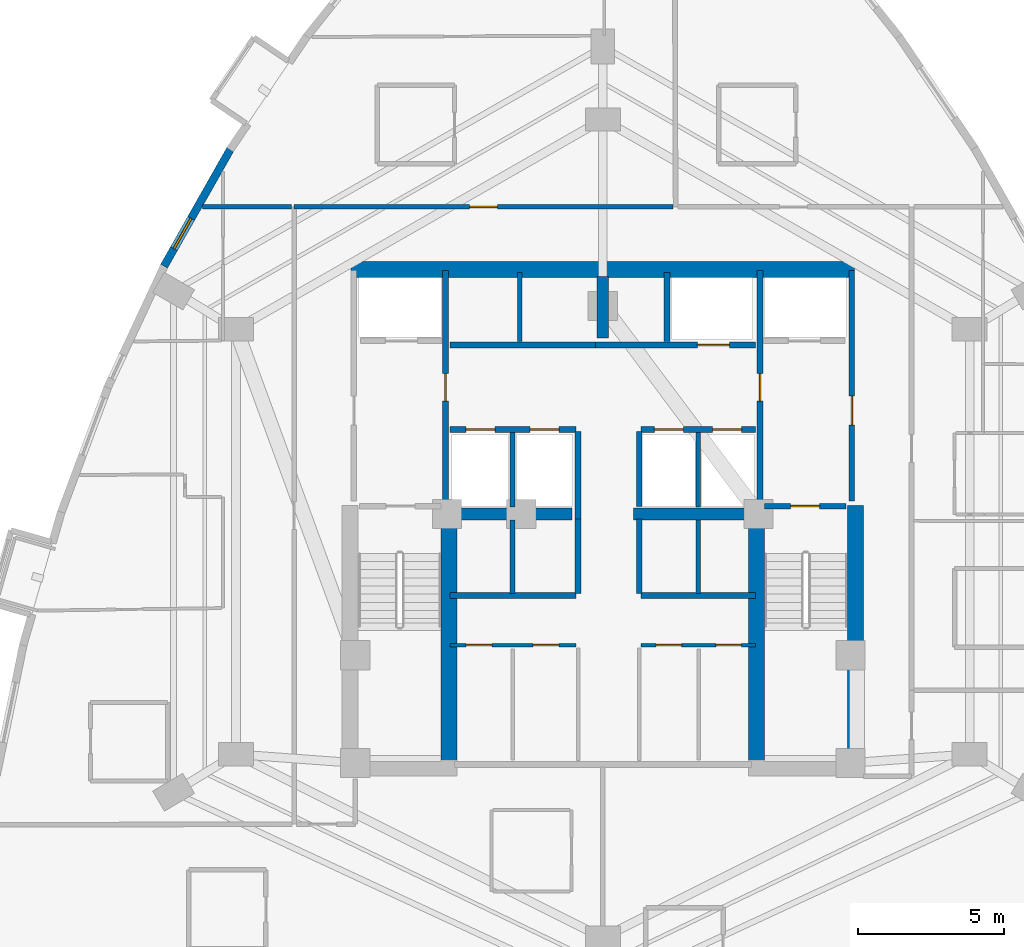
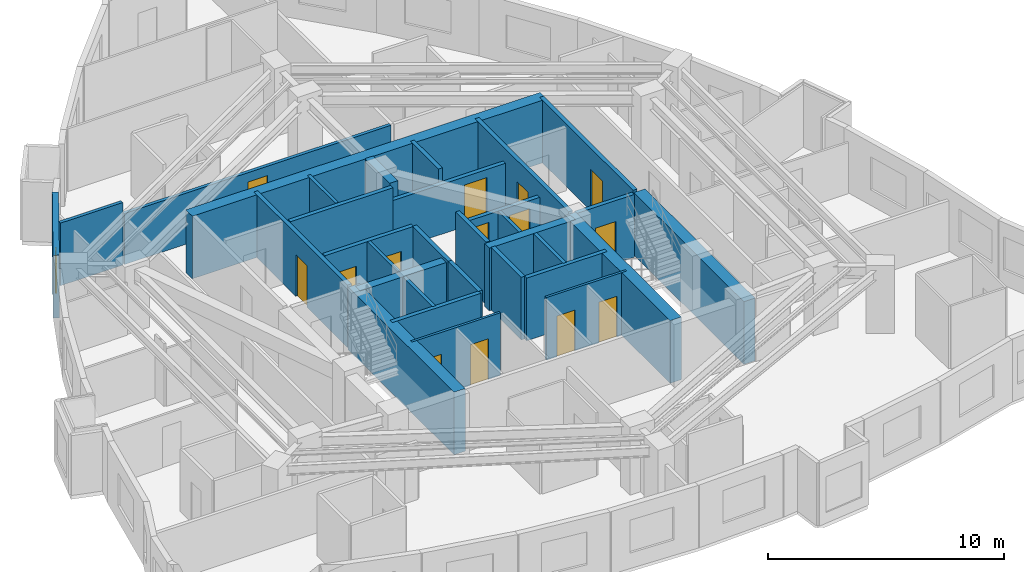
# One storey, part 7 of 11: 32 walls, 14 doors, 1 window, 15 openings.
"""IFC4 building model written with IfcOpenShell, lengths in metres."""

import ifcopenshell
import ifcopenshell.guid

model = None  # the IFC model being written
_history = None  # IfcOwnerHistory: only IFC2X3 demands one
_inside = {}  # id of a spatial element -> (the spatial element, [elements in it])
_under = {}  # id of a project, library or spatial element -> (it, [spatial elements below it])
_declared = {}  # id of a project -> (the project, [libraries it declares])
_typed = {}  # id of a type object -> (the type object, [elements of that type])
_made_of = {}  # id of a material, layer set ... -> (it, [elements and type objects made of it])


def new_model(schema):
    """Start an empty IFC model of exactly this schema.

    Asked for "IFC4X3", IfcOpenShell would pick the latest addendum, in which some entities
    have other attributes; the version numbers below select the first issue.
    IFC2X3 requires an IfcOwnerHistory on every rooted entity: one is made here for all.
    """
    global model, _history
    if schema == "IFC4X3":
        model = ifcopenshell.file(schema_version=(4, 3, 0, 0))
    else:
        model = ifcopenshell.file(schema=schema)
    _inside.clear()
    _under.clear()
    _declared.clear()
    _typed.clear()
    _made_of.clear()
    _history = None
    if model.schema == "IFC2X3":
        org = make("IfcOrganization", Name="unknown")
        user = make(
            "IfcPersonAndOrganization",
            ThePerson=make("IfcPerson", FamilyName="unknown"),
            TheOrganization=org,
        )
        app = make(
            "IfcApplication",
            ApplicationDeveloper=org,
            Version="unknown",
            ApplicationFullName="unknown",
            ApplicationIdentifier="unknown",
        )
        _history = make(
            "IfcOwnerHistory",
            OwningUser=user,
            OwningApplication=app,
            ChangeAction="ADDED",
            CreationDate=0,
        )
    return model


def make(cls, **values):
    """One entity of the class cls with the attributes given. An attribute that is None is left unset."""
    return model.create_entity(
        cls, **{name: value for name, value in values.items() if value is not None}
    )


def rooted(cls, **values):
    """An entity with a GlobalId (a new one), such as an element, a storey or a relation."""
    return make(cls, GlobalId=ifcopenshell.guid.new(), OwnerHistory=_history, **values)


def si_unit(unit_type, name, prefix=None):
    """IfcSIUnit, for example si_unit("LENGTHUNIT", "METRE", prefix="MILLI")."""
    return make("IfcSIUnit", UnitType=unit_type, Prefix=prefix, Name=name)


def assignment(units):
    """IfcUnitAssignment: the units of a project."""
    return None if units is None else make("IfcUnitAssignment", Units=units)


def point(xyz):
    """IfcCartesianPoint."""
    return None if xyz is None else make("IfcCartesianPoint", Coordinates=xyz)


def direction(xyz):
    """IfcDirection."""
    return None if xyz is None else make("IfcDirection", DirectionRatios=xyz)


def frame(location, z_axis=None, x_axis=None):
    """IfcAxis2Placement3D, a coordinate frame: its origin and axes. An axis left out is left unset."""
    return make(
        "IfcAxis2Placement3D",
        Location=point(location),
        Axis=direction(z_axis),
        RefDirection=direction(x_axis),
    )


def frame_2d(location, x_axis=None):
    """IfcAxis2Placement2D, a coordinate frame in the plane: its origin and x axis."""
    return make(
        "IfcAxis2Placement2D", Location=point(location), RefDirection=direction(x_axis)
    )


def origin():
    """The frame at (0, 0, 0) with its axes left unset."""
    return frame((0.0, 0.0, 0.0))


def place(relative_to, where):
    """IfcLocalPlacement: puts the frame where relative to a parent placement (None: the world)."""
    return make(
        "IfcLocalPlacement", PlacementRelTo=relative_to, RelativePlacement=where
    )


def context(
    kind, dimensions, precision=None, world=None, true_north=None, identifier=None
):
    """IfcGeometricRepresentationContext, for example the 3D "Model" context."""
    return make(
        "IfcGeometricRepresentationContext",
        ContextIdentifier=identifier,
        ContextType=kind,
        CoordinateSpaceDimension=dimensions,
        Precision=precision,
        WorldCoordinateSystem=world,
        TrueNorth=true_north,
    )


def subcontext(parent, identifier, kind, view, scale=None):
    """IfcGeometricRepresentationSubContext, for example "Body" below "Model"."""
    return make(
        "IfcGeometricRepresentationSubContext",
        ContextIdentifier=identifier,
        ContextType=kind,
        ParentContext=parent,
        TargetScale=scale,
        TargetView=view,
    )


def project(units=None, contexts=None):
    """IfcProject with its units and contexts."""
    return rooted(
        "IfcProject",
        Name="project",
        RepresentationContexts=contexts,
        UnitsInContext=assignment(units),
    )


def spatial(cls, under=None, at=None, **own):
    """A site, building, storey or space (cls), placed at a placement, below another one or the project."""
    s = rooted(cls, ObjectPlacement=at, **own)
    if under is not None:
        _under.setdefault(under.id(), (under, []))[1].append(s)
    return s


def profile(cls, at=None, kind="AREA", **sizes):
    """A parametric profile (cls). Its sizes go by their IFC names, for example OverallWidth=200.0."""
    return make(cls, ProfileType=kind, Position=at, **sizes)


def rectangle(**sizes):
    """IfcRectangleProfileDef."""
    return profile("IfcRectangleProfileDef", **sizes)


def extrude(swept, where, along, depth):
    """IfcExtrudedAreaSolid: the profile swept, set in the frame where, extruded along a direction by depth."""
    return make(
        "IfcExtrudedAreaSolid",
        SweptArea=swept,
        Position=where,
        ExtrudedDirection=direction(along),
        Depth=depth,
    )


def shape(context_of_items, identifier, shape_type, items):
    """IfcShapeRepresentation: the items that make up one representation, for example the "Body"."""
    return make(
        "IfcShapeRepresentation",
        ContextOfItems=context_of_items,
        RepresentationIdentifier=identifier,
        RepresentationType=shape_type,
        Items=items,
    )


def material(Name=None, Category=None):
    """IfcMaterial."""
    return make("IfcMaterial", Name=Name, Category=Category)


def layer(
    of_material, thickness, ventilated=None, Name=None, Category=None, Priority=None
):
    """IfcMaterialLayer: one layer of a wall or slab, of a material (None: an air gap)."""
    return make(
        "IfcMaterialLayer",
        Material=of_material,
        LayerThickness=thickness,
        IsVentilated=ventilated,
        Name=Name,
        Category=Category,
        Priority=Priority,
    )


def layer_set(layers, Name=None):
    """IfcMaterialLayerSet."""
    return make("IfcMaterialLayerSet", MaterialLayers=layers, LayerSetName=Name)


def made_of(thing, what):
    """Note that an element or type object is made of a material, layer set ...; save() writes the relation."""
    if what is not None:
        _made_of.setdefault(what.id(), (what, []))[1].append(thing)
    return thing


def type_object(cls, material=None, **own):
    """A type object (cls), such as IfcWallType, which elements share."""
    return made_of(rooted(cls, **own), material)


def element(
    cls,
    number,
    at=None,
    inside=None,
    cuts=None,
    type_object=None,
    material=None,
    context=None,
    identifier="Body",
    shape_type=None,
    held_by="IfcProductDefinitionShape",
    body=None,
    shapes=None,
    **own,
):
    """One element of the class cls, such as IfcWall. Its Tag is "e" and its number.

    at: its placement. inside: the storey or other place that contains it. cuts: it is an
    opening in that element (IfcRelVoidsElement). A single representation is given by context,
    identifier, shape_type and body (its items); several are given by shapes. held_by: the class
    of the entity that holds the representations. save() writes the other relations.
    """
    e = rooted(cls, Tag="e%d" % number, ObjectPlacement=at, **own)
    if body is not None:
        shapes = [shape(context, identifier, shape_type, body)]
    if shapes is not None:
        e.Representation = make(held_by, Representations=shapes)
    if inside is not None:
        _inside.setdefault(inside.id(), (inside, []))[1].append(e)
    if cuts is not None:
        rooted(
            "IfcRelVoidsElement", RelatingBuildingElement=cuts, RelatedOpeningElement=e
        )
    if type_object is not None:
        _typed.setdefault(type_object.id(), (type_object, []))[1].append(e)
    return made_of(e, material)


def fill(opening, filler):
    """IfcRelFillsElement: the door or window that sits in an opening."""
    return rooted(
        "IfcRelFillsElement",
        RelatingOpeningElement=opening,
        RelatedBuildingElement=filler,
    )


def aggregate(whole, parts):
    """IfcRelAggregates: a whole, such as a stair, and the parts it consists of."""
    return rooted("IfcRelAggregates", RelatingObject=whole, RelatedObjects=parts)


def save(model, path):
    """Write the relations noted so far, then the file.

    IfcRelAggregates (storeys below a building ...), IfcRelContainedInSpatialStructure (elements
    in a storey), IfcRelDefinesByType, IfcRelAssociatesMaterial and IfcRelDeclares: one each for
    every whole, place, type object, material and project.
    """
    for whole, parts in _under.values():
        aggregate(whole, parts)
    for where, things in _inside.values():
        rooted(
            "IfcRelContainedInSpatialStructure",
            RelatedElements=things,
            RelatingStructure=where,
        )
    for kind, things in _typed.values():
        rooted("IfcRelDefinesByType", RelatedObjects=things, RelatingType=kind)
    for what, things in _made_of.values():
        rooted("IfcRelAssociatesMaterial", RelatedObjects=things, RelatingMaterial=what)
    for by, libraries in _declared.values():
        rooted("IfcRelDeclares", RelatingContext=by, RelatedDefinitions=libraries)
    model.write(path)


model = new_model("IFC4")

# Units and contexts
model_context = context("Model", 3, precision=1e-05, world=origin(), true_north=direction((0.0, 1.0)))
body_context = subcontext(model_context, "Body", "Model", "MODEL_VIEW")
ifc_project = project(units=[si_unit("LENGTHUNIT", "METRE"), si_unit("AREAUNIT", "SQUARE_METRE"), si_unit("VOLUMEUNIT", "CUBIC_METRE"), si_unit("PLANEANGLEUNIT", "RADIAN"), si_unit("MASSUNIT", "GRAM", prefix="KILO")], contexts=[model_context])

# Site, building, storey
site_placement = place(None, origin())
site = spatial("IfcSite", under=ifc_project, at=site_placement, CompositionType="ELEMENT")
building_placement = place(site_placement, origin())
building = spatial("IfcBuilding", under=site, at=building_placement, Name="Miruveldt Soraemaru", CompositionType="ELEMENT")
storey_placement = place(building_placement, frame((0.0, 0.0, 100.39990234375)))
storey = spatial("IfcBuildingStorey", under=building, at=storey_placement, Name="L27", CompositionType="ELEMENT", Elevation=100.39990234375)

# Walls
ifc_material_1 = material(Name="Concrete C70/85 (70 MPa)", Category="concrete")
ifc_layer_1 = layer(ifc_material_1, 0.5, Name="Concrete C70/85 (70 MPa)", Category="concrete")
ifc_layer_set_1 = layer_set([ifc_layer_1], Name="Concrete C70/85 (70 MPa)")
wall_type_1 = type_object("IfcWallType", Name="WALL-BW-500", PredefinedType="SHEAR", material=ifc_layer_set_1)
wall_1_placement = place(storey_placement, frame((44.0, 50.10009765625, 0.0), z_axis=(0.0, 0.0, 1.0), x_axis=(0.0, 1.0, 0.0)))
element("IfcWall", 1, at=wall_1_placement, inside=storey, type_object=wall_type_1, Name="L27 Core Buttress Shear Wall BN", PredefinedType="SHEAR", context=body_context, shape_type="SweptSolid", body=[
    extrude(rectangle(XDim=2.099853515625, YDim=0.39990234375, at=frame_2d((1.0498046875, 0.0))), origin(), (0.0, 0.0, 1.0), 3.235107421875),
])
for number, where, z_axis, x_axis, name in (
    (2, (38.75, 44.050048828125, 0.0), (0.0, 0.0, 1.0), (1.0, 0.0, 0.0), "L27 Core Buttress Shear Wall BW"),
    (3, (45.050048828125, 44.050048828125, 0.0), (0.0, 0.0, 1.0), (1.0, 0.0, 0.0), "L27 Core Buttress Shear Wall BE"),
):
    element("IfcWall", number, at=place(storey_placement, frame(where, z_axis=z_axis, x_axis=x_axis)), inside=storey, type_object=wall_type_1, Name=name, PredefinedType="SHEAR", context=body_context, shape_type="SweptSolid", body=[
        extrude(rectangle(XDim=4.199951171875, YDim=0.39990234375, at=frame_2d((2.10009765625, 0.0))), origin(), (0.0, 0.0, 1.0), 3.235107421875),
    ])
ifc_layer_2 = layer(ifc_material_1, 0.550048828125, Name="Concrete C70/85 (70 MPa)", Category="concrete")
ifc_layer_set_2 = layer_set([ifc_layer_2], Name="Concrete C70/85 (70 MPa)")
wall_type_2 = type_object("IfcWallType", Name="WALL-CW-550", PredefinedType="SHEAR", material=ifc_layer_set_2)
wall_2_placement = place(storey_placement, frame((35.35009765625, 52.449951171875, 0.0), z_axis=(0.0, 0.0, 1.0), x_axis=(1.0, 0.0, 0.0)))
element("IfcWall", 4, at=wall_2_placement, inside=storey, type_object=wall_type_2, Name="L27 Central Core Shear Wall N", PredefinedType="SHEAR", context=body_context, shape_type="SweptSolid", body=[
    extrude(rectangle(XDim=17.2998046875, YDim=0.550048828125, at=frame_2d((8.64990234375, 0.0))), origin(), (0.0, 0.0, 1.0), 3.235107421875),
])
wall_3_placement = place(storey_placement, frame((52.675048828125, 35.050048828125, 0.0), z_axis=(0.0, 0.0, 1.0), x_axis=(0.0, 1.0, 0.0)))
element("IfcWall", 5, at=wall_3_placement, inside=storey, type_object=wall_type_2, Name="L27 Central Core Shear Wall E1", PredefinedType="SHEAR", context=body_context, shape_type="SweptSolid", body=[
    extrude(rectangle(XDim=9.300048828125, YDim=0.550048828125, at=frame_2d((4.64990234375, 0.0))), origin(), (0.0, 0.0, 1.0), 3.235107421875),
])
for number, where, z_axis, x_axis, name in (
    (6, (38.72509765625, 35.39990234375, 0.0), (0.0, 0.0, 1.0), (0.0, 1.0, 0.0), "L27 Central Core Shear Wall SW-INT"),
    (7, (49.27490234375, 35.39990234375, 0.0), (0.0, 0.0, 1.0), (0.0, 1.0, 0.0), "L27 Central Core Shear Wall SE-INT"),
):
    element("IfcWall", number, at=place(storey_placement, frame(where, z_axis=z_axis, x_axis=x_axis)), inside=storey, type_object=wall_type_2, Name=name, PredefinedType="SHEAR", context=body_context, shape_type="SweptSolid", body=[
        extrude(rectangle(XDim=8.9501953125, YDim=0.550048828125, at=frame_2d((4.47509765625, 0.0))), origin(), (0.0, 0.0, 1.0), 3.235107421875),
    ])

# Wall, opening, window
ifc_material_2 = material(Name="Precast concrete C45/55 (45 MPa)", Category="concrete")
ifc_layer_3 = layer(ifc_material_2, 0.27001953125, Name="Precast concrete C45/55 (45 MPa)", Category="concrete")
ifc_layer_set_3 = layer_set([ifc_layer_3], Name="Precast concrete C45/55 (45 MPa)")
wall_type_3 = type_object("IfcWallType", Name="WALL-EXT-PC270", PredefinedType="SOLIDWALL", material=ifc_layer_set_3)
wall_4_placement = place(storey_placement, frame((31.234130859375, 56.62158203125, 0.0), z_axis=(0.0, 0.0, 1.0), x_axis=(-0.493366085109, -0.869821766837, 0.0)))
wall_4 = element("IfcWall", 8, at=wall_4_placement, inside=storey, type_object=wall_type_3, Name="L27 Precast Concrete Facade Wall 10", PredefinedType="SOLIDWALL", context=body_context, shape_type="SweptSolid", body=[
    extrude(rectangle(XDim=4.66943359375, YDim=0.27001953125, at=frame_2d((2.334716796875, 0.0))), origin(), (0.0, 0.0, 1.0), 3.235107421875),
])
opening_1_placement = place(wall_4_placement, frame((2.779052734375, 0.0, 0.780029296875)))
opening_1 = element("IfcOpeningElement", 9, at=opening_1_placement, cuts=wall_4, Name="Opening WN-4", PredefinedType="OPENING", context=body_context, shape_type="SweptSolid", body=[
    extrude(rectangle(XDim=1.199951171875, YDim=1.550048828125, at=frame_2d((0.60009765625, 0.77490234375))), frame((0.0, 0.14501953125, 0.0), z_axis=(0.0, -1.0, 0.0), x_axis=(1.0, 0.0, 0.0)), (0.0, 0.0, 1.0), 0.2900390625),
])
ifc_material_3 = material(Name="Triple low-e insulated glazing", Category="glass")
window_type = type_object("IfcWindowType", Name="WIN-PUNCH-1200x1550", PartitioningType="SINGLE_PANEL", PredefinedType="WINDOW", material=ifc_material_3)
window_placement = place(opening_1_placement, origin())
window = element("IfcWindow", 10, at=window_placement, inside=storey, type_object=window_type, Name="L27 Punched Triple-Glazed Window 10.1", OverallHeight=1.550048828125, OverallWidth=1.199951171875, PartitioningType="SINGLE_PANEL", PredefinedType="WINDOW", context=body_context, shape_type="SweptSolid", body=[
    extrude(rectangle(XDim=1.199951171875, YDim=1.550048828125, at=frame_2d((0.60009765625, 0.77490234375))), frame((0.0, 0.030029296875, 0.0), z_axis=(0.0, -1.0, 0.0), x_axis=(1.0, 0.0, 0.0)), (0.0, 0.0, 1.0), 0.06005859375),
])
fill(opening_1, window)

# Wall, openings, doors
ifc_material_4 = material(Name="Gypsum plasterboard lining", Category="gypsum")
ifc_layer_4 = layer(ifc_material_4, 0.1201171875, Name="Gypsum plasterboard lining", Category="gypsum")
ifc_layer_set_4 = layer_set([ifc_layer_4], Name="Gypsum plasterboard lining")
wall_type_4 = type_object("IfcWallType", Name="WALL-INT-P120", PredefinedType="PARTITIONING", material=ifc_layer_set_4)
wall_5_placement = place(storey_placement, frame((38.75, 39.550048828125, 0.0), z_axis=(0.0, 0.0, 1.0), x_axis=(1.0, 0.0, 0.0)))
wall_5 = element("IfcWall", 11, at=wall_5_placement, inside=storey, type_object=wall_type_4, Name="L27 Core Compartment Wall CSW-N", PredefinedType="PARTITIONING", context=body_context, shape_type="SweptSolid", body=[
    extrude(rectangle(XDim=4.330078125, YDim=0.1201171875, at=frame_2d((2.1650390625, 0.0))), origin(), (0.0, 0.0, 1.0), 3.235107421875),
])
opening_2_placement = place(wall_5_placement, frame((0.56005859375, 0.0, 0.0)))
opening_2 = element("IfcOpeningElement", 12, at=opening_2_placement, cuts=wall_5, Name="Opening D4", PredefinedType="OPENING", context=body_context, shape_type="SweptSolid", body=[
    extrude(rectangle(XDim=0.8798828125, YDim=2.10009765625, at=frame_2d((0.43994140625, 1.050048828125))), frame((0.0, 0.070068359375, 0.0), z_axis=(0.0, -1.0, 0.0), x_axis=(1.0, 0.0, 0.0)), (0.0, 0.0, 1.0), 0.14013671875),
])
opening_3_placement = place(wall_5_placement, frame((2.860107421875, 0.0, 0.0)))
opening_3 = element("IfcOpeningElement", 13, at=opening_3_placement, cuts=wall_5, Name="Opening D4", PredefinedType="OPENING", context=body_context, shape_type="SweptSolid", body=[
    extrude(rectangle(XDim=0.8798828125, YDim=2.10009765625, at=frame_2d((0.43994140625, 1.050048828125))), frame((0.0, 0.070068359375, 0.0), z_axis=(0.0, -1.0, 0.0), x_axis=(1.0, 0.0, 0.0)), (0.0, 0.0, 1.0), 0.14013671875),
])
ifc_material_5 = material(Name="Anodised aluminium EN AW-6063 T6", Category="aluminium")
door_type_1 = type_object("IfcDoorType", Name="DOOR-INT-880", OperationType="NOTDEFINED", PredefinedType="DOOR", material=ifc_material_5)
door_1_placement = place(opening_2_placement, origin())
door_1 = element("IfcDoor", 14, at=door_1_placement, inside=storey, type_object=door_type_1, Name="L27 Fire Door", OperationType="SINGLE_SWING_LEFT", OverallHeight=2.10009765625, OverallWidth=0.8798828125, PredefinedType="DOOR", context=body_context, shape_type="SweptSolid", body=[
    extrude(rectangle(XDim=0.8798828125, YDim=2.10009765625, at=frame_2d((0.43994140625, 1.050048828125))), frame((0.0, 0.02490234375, 0.0), z_axis=(0.0, -1.0, 0.0), x_axis=(1.0, 0.0, 0.0)), (0.0, 0.0, 1.0), 0.050048828125),
])
fill(opening_2, door_1)
door_2_placement = place(opening_3_placement, origin())
door_2 = element("IfcDoor", 15, at=door_2_placement, inside=storey, type_object=door_type_1, Name="L27 Fire Door", OperationType="SINGLE_SWING_LEFT", OverallHeight=2.10009765625, OverallWidth=0.8798828125, PredefinedType="DOOR", context=body_context, shape_type="SweptSolid", body=[
    extrude(rectangle(XDim=0.8798828125, YDim=2.10009765625, at=frame_2d((0.43994140625, 1.050048828125))), frame((0.0, 0.02490234375, 0.0), z_axis=(0.0, -1.0, 0.0), x_axis=(1.0, 0.0, 0.0)), (0.0, 0.0, 1.0), 0.050048828125),
])
fill(opening_3, door_2)

wall_6_placement = place(storey_placement, frame((45.320068359375, 39.550048828125, 0.0), z_axis=(0.0, 0.0, 1.0), x_axis=(1.0, 0.0, 0.0)))
wall_6 = element("IfcWall", 16, at=wall_6_placement, inside=storey, type_object=wall_type_4, Name="L27 Core Compartment Wall CSE-N", PredefinedType="PARTITIONING", context=body_context, shape_type="SweptSolid", body=[
    extrude(rectangle(XDim=3.929931640625, YDim=0.1201171875, at=frame_2d((1.96484375, 0.0))), origin(), (0.0, 0.0, 1.0), 3.235107421875),
])
opening_4_placement = place(wall_6_placement, frame((0.510009765625, 0.0, 0.0)))
opening_4 = element("IfcOpeningElement", 17, at=opening_4_placement, cuts=wall_6, Name="Opening D4", PredefinedType="OPENING", context=body_context, shape_type="SweptSolid", body=[
    extrude(rectangle(XDim=0.8798828125, YDim=2.10009765625, at=frame_2d((0.43994140625, 1.050048828125))), frame((0.0, 0.070068359375, 0.0), z_axis=(0.0, -1.0, 0.0), x_axis=(1.0, 0.0, 0.0)), (0.0, 0.0, 1.0), 0.14013671875),
])
opening_5_placement = place(wall_6_placement, frame((2.56005859375, 0.0, 0.0)))
opening_5 = element("IfcOpeningElement", 18, at=opening_5_placement, cuts=wall_6, Name="Opening D4", PredefinedType="OPENING", context=body_context, shape_type="SweptSolid", body=[
    extrude(rectangle(XDim=0.8798828125, YDim=2.10009765625, at=frame_2d((0.43994140625, 1.050048828125))), frame((0.0, 0.070068359375, 0.0), z_axis=(0.0, -1.0, 0.0), x_axis=(1.0, 0.0, 0.0)), (0.0, 0.0, 1.0), 0.14013671875),
])
door_3_placement = place(opening_4_placement, origin())
door_3 = element("IfcDoor", 19, at=door_3_placement, inside=storey, type_object=door_type_1, Name="L27 Fire Door", OperationType="SINGLE_SWING_LEFT", OverallHeight=2.10009765625, OverallWidth=0.8798828125, PredefinedType="DOOR", context=body_context, shape_type="SweptSolid", body=[
    extrude(rectangle(XDim=0.8798828125, YDim=2.10009765625, at=frame_2d((0.43994140625, 1.050048828125))), frame((0.0, 0.02490234375, 0.0), z_axis=(0.0, -1.0, 0.0), x_axis=(1.0, 0.0, 0.0)), (0.0, 0.0, 1.0), 0.050048828125),
])
fill(opening_4, door_3)
door_4_placement = place(opening_5_placement, origin())
door_4 = element("IfcDoor", 20, at=door_4_placement, inside=storey, type_object=door_type_1, Name="L27 Fire Door", OperationType="SINGLE_SWING_LEFT", OverallHeight=2.10009765625, OverallWidth=0.8798828125, PredefinedType="DOOR", context=body_context, shape_type="SweptSolid", body=[
    extrude(rectangle(XDim=0.8798828125, YDim=2.10009765625, at=frame_2d((0.43994140625, 1.050048828125))), frame((0.0, 0.02490234375, 0.0), z_axis=(0.0, -1.0, 0.0), x_axis=(1.0, 0.0, 0.0)), (0.0, 0.0, 1.0), 0.050048828125),
])
fill(opening_5, door_4)

# Wall, opening, door
ifc_material_6 = material(Name="Concrete C40/50 (40 MPa)", Category="concrete")
ifc_layer_5 = layer(ifc_material_6, 0.159912109375, Name="Concrete C40/50 (40 MPa)", Category="concrete")
ifc_layer_set_5 = layer_set([ifc_layer_5], Name="Concrete C40/50 (40 MPa)")
wall_type_5 = type_object("IfcWallType", Name="WALL-INT-RC160", PredefinedType="SOLIDWALL", material=ifc_layer_set_5)
wall_7_placement = place(storey_placement, frame((46.416015625, 54.60009765625, 0.0), z_axis=(0.0, 0.0, 1.0), x_axis=(-1.0, 0.0, 0.0)))
wall_7 = element("IfcWall", 21, at=wall_7_placement, inside=storey, type_object=wall_type_5, Name="L27 Partition Wall 1", PredefinedType="SOLIDWALL", context=body_context, shape_type="SweptSolid", body=[
    extrude(rectangle(XDim=13.026123046875, YDim=0.159912109375, at=frame_2d((6.51318359375, 0.0))), origin(), (0.0, 0.0, 1.0), 2.635009765625),
])
opening_6_placement = place(wall_7_placement, frame((6.0380859375, 0.0, 0.0)))
opening_6 = element("IfcOpeningElement", 22, at=opening_6_placement, cuts=wall_7, Name="Opening FD2", PredefinedType="OPENING", context=body_context, shape_type="SweptSolid", body=[
    extrude(rectangle(XDim=0.949951171875, YDim=2.14990234375, at=frame_2d((0.47509765625, 1.074951171875))), frame((0.0, 0.08984375, 0.0), z_axis=(0.0, -1.0, 0.0), x_axis=(1.0, 0.0, 0.0)), (0.0, 0.0, 1.0), 0.179931640625),
])
door_type_2 = type_object("IfcDoorType", Name="DOOR-FD2-950", OperationType="NOTDEFINED", PredefinedType="DOOR", material=ifc_material_5)
door_5_placement = place(opening_6_placement, origin())
door_5 = element("IfcDoor", 23, at=door_5_placement, inside=storey, type_object=door_type_2, Name="L27 Unit 2701 Entrance Fire Door", OperationType="SINGLE_SWING_RIGHT", OverallHeight=2.14990234375, OverallWidth=0.949951171875, PredefinedType="DOOR", context=body_context, shape_type="SweptSolid", body=[
    extrude(rectangle(XDim=0.949951171875, YDim=2.14990234375, at=frame_2d((0.47509765625, 1.074951171875))), frame((0.0, 0.02490234375, 0.0), z_axis=(0.0, -1.0, 0.0), x_axis=(1.0, 0.0, 0.0)), (0.0, 0.0, 1.0), 0.050048828125),
])
fill(opening_6, door_5)

# Walls
wall_8_placement = place(storey_placement, frame((30.260009765625, 54.60009765625, 0.0), z_axis=(0.0, 0.0, 1.0), x_axis=(1.0, 0.0, 0.0)))
element("IfcWall", 24, at=wall_8_placement, inside=storey, type_object=wall_type_5, Name="L27 Partition Wall 20", PredefinedType="SOLIDWALL", context=body_context, shape_type="SweptSolid", body=[
    extrude(rectangle(XDim=3.055908203125, YDim=0.159912109375, at=frame_2d((1.52783203125, 0.0))), origin(), (0.0, 0.0, 1.0), 3.235107421875),
])
wall_9_placement = place(storey_placement, frame((40.89990234375, 44.300048828125, 0.0), z_axis=(0.0, 0.0, 1.0), x_axis=(0.0, 1.0, 0.0)))
element("IfcWall", 25, at=wall_9_placement, inside=storey, type_object=wall_type_5, Name="L27 Core Compartment Wall PLM-DW", PredefinedType="SOLIDWALL", context=body_context, shape_type="SweptSolid", body=[
    extrude(rectangle(XDim=2.550048828125, YDim=0.159912109375, at=frame_2d((1.27490234375, 0.0))), origin(), (0.0, 0.0, 1.0), 3.235107421875),
])
wall_10_placement = place(storey_placement, frame((47.280029296875, 44.300048828125, 0.0), z_axis=(0.0, 0.0, 1.0), x_axis=(0.0, 1.0, 0.0)))
element("IfcWall", 26, at=wall_10_placement, inside=storey, type_object=wall_type_5, Name="L27 Core Compartment Wall PLM-DE", PredefinedType="SOLIDWALL", context=body_context, shape_type="SweptSolid", body=[
    extrude(rectangle(XDim=2.550048828125, YDim=0.159912109375, at=frame_2d((1.27490234375, 0.0))), origin(), (0.0, 0.0, 1.0), 2.572998046875),
])
for number, where, z_axis, x_axis, name in (
    (27, (40.89990234375, 41.320068359375, 0.0), (0.0, 0.0, 1.0), (0.0, 1.0, 0.0), "L27 Core Compartment Wall PLL-DW"),
    (28, (47.280029296875, 41.320068359375, 0.0), (0.0, 0.0, 1.0), (0.0, 1.0, 0.0), "L27 Core Compartment Wall PLL-DE"),
):
    element("IfcWall", number, at=place(storey_placement, frame(where, z_axis=z_axis, x_axis=x_axis)), inside=storey, type_object=wall_type_5, Name=name, PredefinedType="SOLIDWALL", context=body_context, shape_type="SweptSolid", body=[
        extrude(rectangle(XDim=2.530029296875, YDim=0.159912109375, at=frame_2d((1.26513671875, 0.0))), origin(), (0.0, 0.0, 1.0), 3.235107421875),
    ])
wall_11_placement = place(storey_placement, frame((41.14990234375, 49.97998046875, 0.0), z_axis=(0.0, 0.0, 1.0), x_axis=(0.0, 1.0, 0.0)))
element("IfcWall", 29, at=wall_11_placement, inside=storey, type_object=wall_type_5, Name="L27 Core Compartment Wall PLH-DIV1", PredefinedType="SOLIDWALL", context=body_context, shape_type="SweptSolid", body=[
    extrude(rectangle(XDim=2.3701171875, YDim=0.159912109375, at=frame_2d((1.18505859375, 0.0))), origin(), (0.0, 0.0, 1.0), 3.235107421875),
])

# Wall, opening, door
ifc_layer_6 = layer(ifc_material_6, 0.199951171875, Name="Concrete C40/50 (40 MPa)", Category="concrete")
ifc_layer_set_6 = layer_set([ifc_layer_6], Name="Concrete C40/50 (40 MPa)")
wall_type_6 = type_object("IfcWallType", Name="WALL-INT-RC200", PredefinedType="SOLIDWALL", material=ifc_layer_set_6)
wall_12_placement = place(storey_placement, frame((52.550048828125, 44.5, 0.0), z_axis=(0.0, 0.0, 1.0), x_axis=(0.0, 1.0, 0.0)))
wall_12 = element("IfcWall", 30, at=wall_12_placement, inside=storey, type_object=wall_type_6, Name="L27 Core Compartment Wall FFE-OUT", PredefinedType="SOLIDWALL", context=body_context, shape_type="SweptSolid", body=[
    extrude(rectangle(XDim=7.919921875, YDim=0.199951171875, at=frame_2d((3.9599609375, 0.0))), origin(), (0.0, 0.0, 1.0), 3.235107421875),
])
opening_7_placement = place(wall_12_placement, frame((2.60009765625, 0.0, 0.0)))
opening_7 = element("IfcOpeningElement", 31, at=opening_7_placement, cuts=wall_12, Name="Opening FD1", PredefinedType="OPENING", context=body_context, shape_type="SweptSolid", body=[
    extrude(rectangle(XDim=1.0, YDim=2.14990234375, at=frame_2d((0.5, 1.074951171875))), frame((0.0, 0.10986328125, 0.0), z_axis=(0.0, -1.0, 0.0), x_axis=(1.0, 0.0, 0.0)), (0.0, 0.0, 1.0), 0.219970703125),
])
door_type_3 = type_object("IfcDoorType", Name="DOOR-FD1-1000", OperationType="NOTDEFINED", PredefinedType="DOOR", material=ifc_material_5)
door_6_placement = place(opening_7_placement, frame((1.0, 0.0, 0.0), z_axis=(0.0, 0.0, 1.0), x_axis=(-1.0, 0.0, 0.0)))
door_6 = element("IfcDoor", 32, at=door_6_placement, inside=storey, type_object=door_type_3, Name="L27 East Firefighting Lobby Exit Door", OperationType="SINGLE_SWING_RIGHT", OverallHeight=2.14990234375, OverallWidth=1.0, PredefinedType="DOOR", context=body_context, shape_type="SweptSolid", body=[
    extrude(rectangle(XDim=1.0, YDim=2.14990234375, at=frame_2d((0.5, 1.074951171875))), frame((0.0, 0.02490234375, 0.0), z_axis=(0.0, -1.0, 0.0), x_axis=(1.0, 0.0, 0.0)), (0.0, 0.0, 1.0), 0.050048828125),
])
fill(opening_7, door_6)

wall_13_placement = place(storey_placement, frame((38.60009765625, 44.5, 0.0), z_axis=(0.0, 0.0, 1.0), x_axis=(0.0, 1.0, 0.0)))
wall_13 = element("IfcWall", 33, at=wall_13_placement, inside=storey, type_object=wall_type_6, Name="L27 Core Compartment Wall FFW-IN", PredefinedType="SOLIDWALL", context=body_context, shape_type="SweptSolid", body=[
    extrude(rectangle(XDim=7.919921875, YDim=0.199951171875, at=frame_2d((3.9599609375, 0.0))), origin(), (0.0, 0.0, 1.0), 3.235107421875),
])
opening_8_placement = place(wall_13_placement, frame((3.425048828125, 0.0, 0.0)))
opening_8 = element("IfcOpeningElement", 34, at=opening_8_placement, cuts=wall_13, Name="Opening FD2", PredefinedType="OPENING", context=body_context, shape_type="SweptSolid", body=[
    extrude(rectangle(XDim=0.949951171875, YDim=2.14990234375, at=frame_2d((0.47509765625, 1.074951171875))), frame((0.0, 0.10986328125, 0.0), z_axis=(0.0, -1.0, 0.0), x_axis=(1.0, 0.0, 0.0)), (0.0, 0.0, 1.0), 0.219970703125),
])
door_7_placement = place(opening_8_placement, frame((0.949951171875, 0.0, 0.0), z_axis=(0.0, 0.0, 1.0), x_axis=(-1.0, 0.0, 0.0)))
door_7 = element("IfcDoor", 35, at=door_7_placement, inside=storey, type_object=door_type_2, Name="L27 Lift Lobby to West Fire Lobby Door", OperationType="SINGLE_SWING_RIGHT", OverallHeight=2.14990234375, OverallWidth=0.949951171875, PredefinedType="DOOR", context=body_context, shape_type="SweptSolid", body=[
    extrude(rectangle(XDim=0.949951171875, YDim=2.14990234375, at=frame_2d((0.47509765625, 1.074951171875))), frame((0.0, 0.02490234375, 0.0), z_axis=(0.0, -1.0, 0.0), x_axis=(1.0, 0.0, 0.0)), (0.0, 0.0, 1.0), 0.050048828125),
])
fill(opening_8, door_7)

wall_14_placement = place(storey_placement, frame((49.39990234375, 44.5, 0.0), z_axis=(0.0, 0.0, 1.0), x_axis=(0.0, 1.0, 0.0)))
wall_14 = element("IfcWall", 36, at=wall_14_placement, inside=storey, type_object=wall_type_6, Name="L27 Core Compartment Wall FFE-IN", PredefinedType="SOLIDWALL", context=body_context, shape_type="SweptSolid", body=[
    extrude(rectangle(XDim=7.919921875, YDim=0.199951171875, at=frame_2d((3.9599609375, 0.0))), origin(), (0.0, 0.0, 1.0), 3.235107421875),
])
opening_9_placement = place(wall_14_placement, frame((3.425048828125, 0.0, 0.0)))
opening_9 = element("IfcOpeningElement", 37, at=opening_9_placement, cuts=wall_14, Name="Opening FD2", PredefinedType="OPENING", context=body_context, shape_type="SweptSolid", body=[
    extrude(rectangle(XDim=0.949951171875, YDim=2.14990234375, at=frame_2d((0.47509765625, 1.074951171875))), frame((0.0, 0.10986328125, 0.0), z_axis=(0.0, -1.0, 0.0), x_axis=(1.0, 0.0, 0.0)), (0.0, 0.0, 1.0), 0.219970703125),
])
door_8_placement = place(opening_9_placement, origin())
door_8 = element("IfcDoor", 38, at=door_8_placement, inside=storey, type_object=door_type_2, Name="L27 Lift Lobby to East Fire Lobby Door", OperationType="SINGLE_SWING_LEFT", OverallHeight=2.14990234375, OverallWidth=0.949951171875, PredefinedType="DOOR", context=body_context, shape_type="SweptSolid", body=[
    extrude(rectangle(XDim=0.949951171875, YDim=2.14990234375, at=frame_2d((0.47509765625, 1.074951171875))), frame((0.0, 0.02490234375, 0.0), z_axis=(0.0, -1.0, 0.0), x_axis=(1.0, 0.0, 0.0)), (0.0, 0.0, 1.0), 0.050048828125),
])
fill(opening_9, door_8)

wall_15_placement = place(storey_placement, frame((43.75, 49.85009765625, 0.0), z_axis=(0.0, 0.0, 1.0), x_axis=(1.0, 0.0, 0.0)))
wall_15 = element("IfcWall", 39, at=wall_15_placement, inside=storey, type_object=wall_type_6, Name="L27 Core Compartment Wall ROWA-SE", PredefinedType="SOLIDWALL", context=body_context, shape_type="SweptSolid", body=[
    extrude(rectangle(XDim=5.5, YDim=0.199951171875, at=frame_2d((2.75, 0.0))), origin(), (0.0, 0.0, 1.0), 2.572998046875),
])
opening_10_placement = place(wall_15_placement, frame((3.5, 0.0, 0.0)))
opening_10 = element("IfcOpeningElement", 40, at=opening_10_placement, cuts=wall_15, Name="Opening LD2", PredefinedType="OPENING", context=body_context, shape_type="SweptSolid", body=[
    extrude(rectangle(XDim=1.10009765625, YDim=2.14990234375, at=frame_2d((0.550048828125, 1.074951171875))), frame((0.0, 0.10986328125, 0.0), z_axis=(0.0, -1.0, 0.0), x_axis=(1.0, 0.0, 0.0)), (0.0, 0.0, 1.0), 0.219970703125),
])
door_type_4 = type_object("IfcDoorType", Name="DOOR-LD2-1100", OperationType="SLIDING_TO_LEFT", PredefinedType="DOOR", material=ifc_material_5)
door_9_placement = place(opening_10_placement, origin())
door_9 = element("IfcDoor", 41, at=door_9_placement, inside=storey, type_object=door_type_4, Name="L27 SL-1 Landing Door", OperationType="SLIDING_TO_LEFT", OverallHeight=2.14990234375, OverallWidth=1.10009765625, PredefinedType="DOOR", context=body_context, shape_type="SweptSolid", body=[
    extrude(rectangle(XDim=1.10009765625, YDim=2.14990234375, at=frame_2d((0.550048828125, 1.074951171875))), frame((0.0, 0.02490234375, 0.0), z_axis=(0.0, -1.0, 0.0), x_axis=(1.0, 0.0, 0.0)), (0.0, 0.0, 1.0), 0.050048828125),
])
fill(opening_10, door_9)

# Wall, openings, doors
wall_16_placement = place(storey_placement, frame((38.75, 46.949951171875, 0.0), z_axis=(0.0, 0.0, 1.0), x_axis=(1.0, 0.0, 0.0)))
wall_16 = element("IfcWall", 42, at=wall_16_placement, inside=storey, type_object=wall_type_6, Name="L27 Core Compartment Wall MBW-N", PredefinedType="SOLIDWALL", context=body_context, shape_type="SweptSolid", body=[
    extrude(rectangle(XDim=4.330078125, YDim=0.199951171875, at=frame_2d((2.1650390625, 0.0))), origin(), (0.0, 0.0, 1.0), 3.235107421875),
])
opening_11_placement = place(wall_16_placement, frame((0.550048828125, 0.0, 0.0)))
opening_11 = element("IfcOpeningElement", 43, at=opening_11_placement, cuts=wall_16, Name="Opening LD1B", PredefinedType="OPENING", context=body_context, shape_type="SweptSolid", body=[
    extrude(rectangle(XDim=1.0, YDim=2.14990234375, at=frame_2d((0.5, 1.074951171875))), frame((0.0, 0.10986328125, 0.0), z_axis=(0.0, -1.0, 0.0), x_axis=(1.0, 0.0, 0.0)), (0.0, 0.0, 1.0), 0.219970703125),
])
opening_12_placement = place(wall_16_placement, frame((2.75, 0.0, 0.0)))
opening_12 = element("IfcOpeningElement", 44, at=opening_12_placement, cuts=wall_16, Name="Opening LD1B", PredefinedType="OPENING", context=body_context, shape_type="SweptSolid", body=[
    extrude(rectangle(XDim=1.0, YDim=2.14990234375, at=frame_2d((0.5, 1.074951171875))), frame((0.0, 0.10986328125, 0.0), z_axis=(0.0, -1.0, 0.0), x_axis=(1.0, 0.0, 0.0)), (0.0, 0.0, 1.0), 0.219970703125),
])
door_type_5 = type_object("IfcDoorType", Name="DOOR-LD1-1000", OperationType="SLIDING_TO_LEFT", PredefinedType="DOOR", material=ifc_material_5)
door_10_placement = place(opening_11_placement, origin())
door_10 = element("IfcDoor", 45, at=door_10_placement, inside=storey, type_object=door_type_5, Name="L27 PL-M1 Landing Door", OperationType="SLIDING_TO_LEFT", OverallHeight=2.14990234375, OverallWidth=1.0, PredefinedType="DOOR", context=body_context, shape_type="SweptSolid", body=[
    extrude(rectangle(XDim=1.0, YDim=2.14990234375, at=frame_2d((0.5, 1.074951171875))), frame((0.0, 0.02490234375, 0.0), z_axis=(0.0, -1.0, 0.0), x_axis=(1.0, 0.0, 0.0)), (0.0, 0.0, 1.0), 0.050048828125),
])
fill(opening_11, door_10)
door_11_placement = place(opening_12_placement, origin())
door_11 = element("IfcDoor", 46, at=door_11_placement, inside=storey, type_object=door_type_5, Name="L27 PL-M2 Landing Door", OperationType="SLIDING_TO_LEFT", OverallHeight=2.14990234375, OverallWidth=1.0, PredefinedType="DOOR", context=body_context, shape_type="SweptSolid", body=[
    extrude(rectangle(XDim=1.0, YDim=2.14990234375, at=frame_2d((0.5, 1.074951171875))), frame((0.0, 0.02490234375, 0.0), z_axis=(0.0, -1.0, 0.0), x_axis=(1.0, 0.0, 0.0)), (0.0, 0.0, 1.0), 0.050048828125),
])
fill(opening_12, door_11)

wall_17_placement = place(storey_placement, frame((45.320068359375, 46.949951171875, 0.0), z_axis=(0.0, 0.0, 1.0), x_axis=(1.0, 0.0, 0.0)))
wall_17 = element("IfcWall", 47, at=wall_17_placement, inside=storey, type_object=wall_type_6, Name="L27 Core Compartment Wall MBE-N", PredefinedType="SOLIDWALL", context=body_context, shape_type="SweptSolid", body=[
    extrude(rectangle(XDim=3.929931640625, YDim=0.199951171875, at=frame_2d((1.96484375, 0.0))), origin(), (0.0, 0.0, 1.0), 2.572998046875),
])
opening_13_placement = place(wall_17_placement, frame((0.449951171875, 0.0, 0.0)))
opening_13 = element("IfcOpeningElement", 48, at=opening_13_placement, cuts=wall_17, Name="Opening LD1B", PredefinedType="OPENING", context=body_context, shape_type="SweptSolid", body=[
    extrude(rectangle(XDim=1.0, YDim=2.14990234375, at=frame_2d((0.5, 1.074951171875))), frame((0.0, 0.10986328125, 0.0), z_axis=(0.0, -1.0, 0.0), x_axis=(1.0, 0.0, 0.0)), (0.0, 0.0, 1.0), 0.219970703125),
])
opening_14_placement = place(wall_17_placement, frame((2.449951171875, 0.0, 0.0)))
opening_14 = element("IfcOpeningElement", 49, at=opening_14_placement, cuts=wall_17, Name="Opening LD1B", PredefinedType="OPENING", context=body_context, shape_type="SweptSolid", body=[
    extrude(rectangle(XDim=1.0, YDim=2.14990234375, at=frame_2d((0.5, 1.074951171875))), frame((0.0, 0.10986328125, 0.0), z_axis=(0.0, -1.0, 0.0), x_axis=(1.0, 0.0, 0.0)), (0.0, 0.0, 1.0), 0.219970703125),
])
door_12_placement = place(opening_13_placement, origin())
door_12 = element("IfcDoor", 50, at=door_12_placement, inside=storey, type_object=door_type_5, Name="L27 PL-M3 Landing Door", OperationType="SLIDING_TO_LEFT", OverallHeight=2.14990234375, OverallWidth=1.0, PredefinedType="DOOR", context=body_context, shape_type="SweptSolid", body=[
    extrude(rectangle(XDim=1.0, YDim=2.14990234375, at=frame_2d((0.5, 1.074951171875))), frame((0.0, 0.02490234375, 0.0), z_axis=(0.0, -1.0, 0.0), x_axis=(1.0, 0.0, 0.0)), (0.0, 0.0, 1.0), 0.050048828125),
])
fill(opening_13, door_12)
door_13_placement = place(opening_14_placement, origin())
door_13 = element("IfcDoor", 51, at=door_13_placement, inside=storey, type_object=door_type_5, Name="L27 PL-M4 Landing Door", OperationType="SLIDING_TO_LEFT", OverallHeight=2.14990234375, OverallWidth=1.0, PredefinedType="DOOR", context=body_context, shape_type="SweptSolid", body=[
    extrude(rectangle(XDim=1.0, YDim=2.14990234375, at=frame_2d((0.5, 1.074951171875))), frame((0.0, 0.02490234375, 0.0), z_axis=(0.0, -1.0, 0.0), x_axis=(1.0, 0.0, 0.0)), (0.0, 0.0, 1.0), 0.050048828125),
])
fill(opening_14, door_13)

# Wall, opening, door
wall_18_placement = place(storey_placement, frame((49.550048828125, 44.320068359375, 0.0), z_axis=(0.0, 0.0, 1.0), x_axis=(1.0, 0.0, 0.0)))
wall_18 = element("IfcWall", 52, at=wall_18_placement, inside=storey, type_object=wall_type_6, Name="L27 Core Compartment Wall ST2-N", PredefinedType="SOLIDWALL", context=body_context, shape_type="SweptSolid", body=[
    extrude(rectangle(XDim=2.800048828125, YDim=0.199951171875, at=frame_2d((1.39990234375, 0.0))), origin(), (0.0, 0.0, 1.0), 3.235107421875),
])
opening_15_placement = place(wall_18_placement, frame((0.89990234375, 0.0, 0.0)))
opening_15 = element("IfcOpeningElement", 53, at=opening_15_placement, cuts=wall_18, Name="Opening FD1", PredefinedType="OPENING", context=body_context, shape_type="SweptSolid", body=[
    extrude(rectangle(XDim=1.0, YDim=2.14990234375, at=frame_2d((0.5, 1.074951171875))), frame((0.0, 0.10986328125, 0.0), z_axis=(0.0, -1.0, 0.0), x_axis=(1.0, 0.0, 0.0)), (0.0, 0.0, 1.0), 0.219970703125),
])
door_14_placement = place(opening_15_placement, frame((1.0, 0.0, 0.0), z_axis=(0.0, 0.0, 1.0), x_axis=(-1.0, 0.0, 0.0)))
door_14 = element("IfcDoor", 54, at=door_14_placement, inside=storey, type_object=door_type_3, Name="L27 Stair ST-2 Fire Door", OperationType="SINGLE_SWING_RIGHT", OverallHeight=2.14990234375, OverallWidth=1.0, PredefinedType="DOOR", context=body_context, shape_type="SweptSolid", body=[
    extrude(rectangle(XDim=1.0, YDim=2.14990234375, at=frame_2d((0.5, 1.074951171875))), frame((0.0, 0.02490234375, 0.0), z_axis=(0.0, -1.0, 0.0), x_axis=(1.0, 0.0, 0.0)), (0.0, 0.0, 1.0), 0.050048828125),
])
fill(opening_15, door_14)

# Walls
wall_19_placement = place(storey_placement, frame((38.75, 49.85009765625, 0.0), z_axis=(0.0, 0.0, 1.0), x_axis=(1.0, 0.0, 0.0)))
element("IfcWall", 55, at=wall_19_placement, inside=storey, type_object=wall_type_6, Name="L27 Core Compartment Wall ROWA-SW", PredefinedType="SOLIDWALL", context=body_context, shape_type="SweptSolid", body=[
    extrude(rectangle(XDim=5.0, YDim=0.199951171875, at=frame_2d((2.5, 0.0))), origin(), (0.0, 0.0, 1.0), 3.235107421875),
])
wall_20_placement = place(storey_placement, frame((38.75, 41.25, 0.0), z_axis=(0.0, 0.0, 1.0), x_axis=(1.0, 0.0, 0.0)))
element("IfcWall", 56, at=wall_20_placement, inside=storey, type_object=wall_type_6, Name="L27 Core Compartment Wall LBW-S", PredefinedType="SOLIDWALL", context=body_context, shape_type="SweptSolid", body=[
    extrude(rectangle(XDim=4.330078125, YDim=0.199951171875, at=frame_2d((2.1650390625, 0.0))), origin(), (0.0, 0.0, 1.0), 3.235107421875),
])
wall_21_placement = place(storey_placement, frame((45.320068359375, 41.25, 0.0), z_axis=(0.0, 0.0, 1.0), x_axis=(1.0, 0.0, 0.0)))
element("IfcWall", 57, at=wall_21_placement, inside=storey, type_object=wall_type_6, Name="L27 Core Compartment Wall LBE-S", PredefinedType="SOLIDWALL", context=body_context, shape_type="SweptSolid", body=[
    extrude(rectangle(XDim=3.929931640625, YDim=0.199951171875, at=frame_2d((1.96484375, 0.0))), origin(), (0.0, 0.0, 1.0), 3.235107421875),
])
wall_22_placement = place(storey_placement, frame((43.14990234375, 43.8798828125, 0.0), z_axis=(0.0, 0.0, 1.0), x_axis=(0.0, 1.0, 0.0)))
element("IfcWall", 58, at=wall_22_placement, inside=storey, type_object=wall_type_6, Name="L27 Core Compartment Wall SP-WB", PredefinedType="SOLIDWALL", context=body_context, shape_type="SweptSolid", body=[
    extrude(rectangle(XDim=3.0, YDim=0.199951171875, at=frame_2d((1.5, 0.0))), origin(), (0.0, 0.0, 1.0), 3.235107421875),
])
wall_23_placement = place(storey_placement, frame((45.25, 44.300048828125, 0.0), z_axis=(0.0, 0.0, 1.0), x_axis=(0.0, 1.0, 0.0)))
element("IfcWall", 59, at=wall_23_placement, inside=storey, type_object=wall_type_6, Name="L27 Core Compartment Wall SP-EB", PredefinedType="SOLIDWALL", context=body_context, shape_type="SweptSolid", body=[
    extrude(rectangle(XDim=2.579833984375, YDim=0.199951171875, at=frame_2d((1.2900390625, 0.0))), origin(), (0.0, 0.0, 1.0), 3.235107421875),
])
for number, where, z_axis, x_axis, name in (
    (60, (43.14990234375, 41.320068359375, 0.0), (0.0, 0.0, 1.0), (0.0, 1.0, 0.0), "L27 Core Compartment Wall SP-WC"),
    (61, (45.25, 41.320068359375, 0.0), (0.0, 0.0, 1.0), (0.0, 1.0, 0.0), "L27 Core Compartment Wall SP-EC"),
):
    element("IfcWall", number, at=place(storey_placement, frame(where, z_axis=z_axis, x_axis=x_axis)), inside=storey, type_object=wall_type_6, Name=name, PredefinedType="SOLIDWALL", context=body_context, shape_type="SweptSolid", body=[
        extrude(rectangle(XDim=2.559814453125, YDim=0.199951171875, at=frame_2d((1.27978515625, 0.0))), origin(), (0.0, 0.0, 1.0), 3.235107421875),
    ])
wall_24_placement = place(storey_placement, frame((46.199951171875, 49.97998046875, 0.0), z_axis=(0.0, 0.0, 1.0), x_axis=(0.0, 1.0, 0.0)))
element("IfcWall", 62, at=wall_24_placement, inside=storey, type_object=wall_type_6, Name="L27 Core Compartment Wall PLH-SL-DIV", PredefinedType="SOLIDWALL", context=body_context, shape_type="SweptSolid", body=[
    extrude(rectangle(XDim=2.3701171875, YDim=0.199951171875, at=frame_2d((1.18505859375, 0.0))), origin(), (0.0, 0.0, 1.0), 3.235107421875),
])

save(model, "model.ifc")
